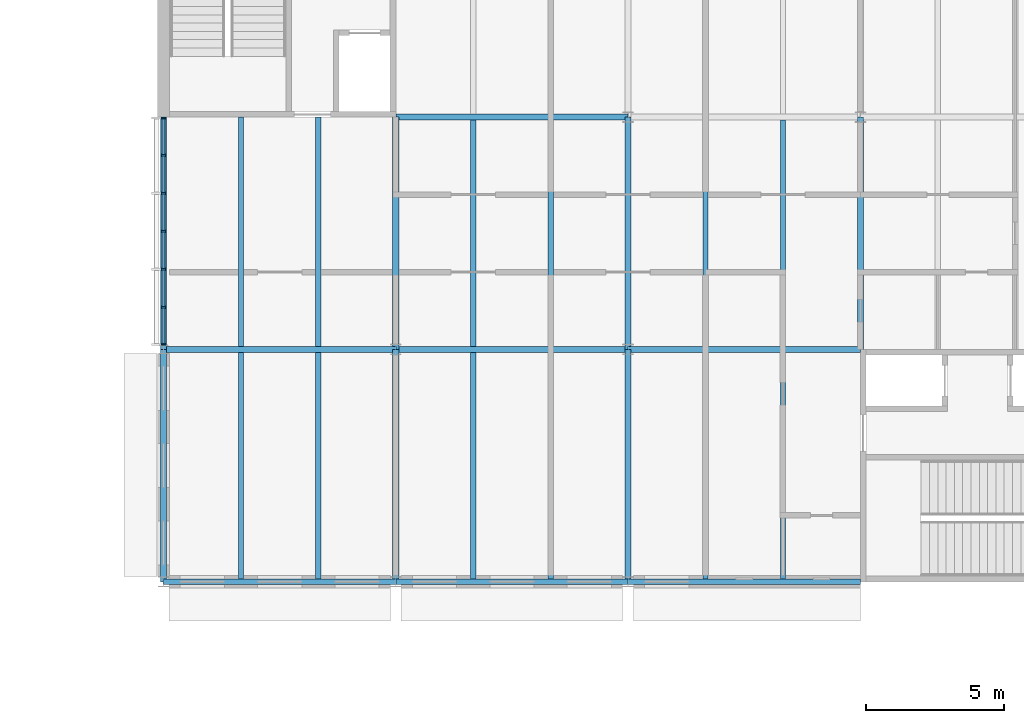
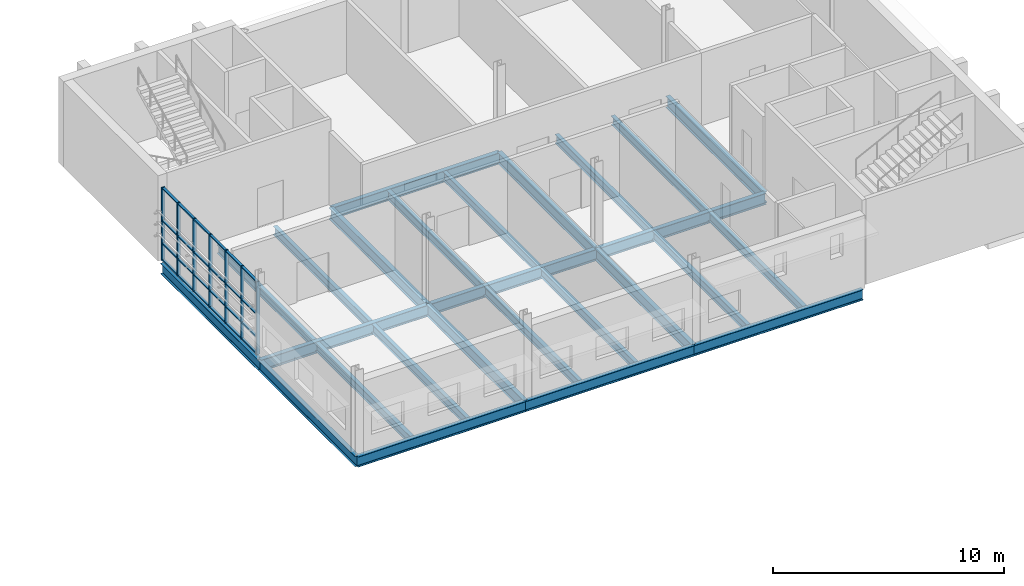
# One storey, part 19 of 42: 31 members, 26 beams, 1 element without a shape of its own.
"""IFC4 building model written with IfcOpenShell, lengths in metres."""

from ifc_helpers import new_model, si_unit, direction, frame, origin, origin_2d, place, context, subcontext, project, spatial, rectangle, i_section, extrude, material, layer, layer_set, material_profile, profile_set, type_object, element, aggregate, save


model = new_model("IFC4")

# Units and contexts
model_context = context("Model", 3, precision=1e-05, world=origin(), true_north=direction((0.0, 1.0)))
body_context = subcontext(model_context, "Body", "Model", "MODEL_VIEW")
ifc_project = project(units=[si_unit("LENGTHUNIT", "METRE"), si_unit("AREAUNIT", "SQUARE_METRE"), si_unit("VOLUMEUNIT", "CUBIC_METRE"), si_unit("PLANEANGLEUNIT", "RADIAN"), si_unit("MASSUNIT", "GRAM", prefix="KILO")], contexts=[model_context])

# Site, building, storey
site_placement = place(None, origin())
site = spatial("IfcSite", under=ifc_project, at=site_placement, CompositionType="ELEMENT")
building_placement = place(site_placement, origin())
building = spatial("IfcBuilding", under=site, at=building_placement, Name="Ardhachandra Cancer Care Centre", CompositionType="ELEMENT")
storey_placement = place(building_placement, frame((0.0, 0.0, 22.5)))
storey = spatial("IfcBuildingStorey", under=building, at=storey_placement, Name="L05", CompositionType="ELEMENT", Elevation=22.5)

# Beams
ifc_material_1 = material(Name="Steel E350 (IS 2062)", Category="steel")
ifc_material_profile_1 = material_profile(ifc_material_1, i_section(OverallWidth=0.19189453125, OverallDepth=0.4560546875, WebThickness=0.010986328125, FlangeThickness=0.017578125, FilletRadius=0.02099609375, at=origin_2d()), Name="NPB 450x190x92.36")
ifc_profile_set_1 = profile_set([ifc_material_profile_1], Name="Steel E350 (IS 2062)")
beam_type_1 = type_object("IfcBeamType", Name="Beam NPB 450x190x92.36", PredefinedType="BEAM", material=ifc_profile_set_1)
beam_1_placement = place(storey_placement, frame((114.39990234375, 79.905029296875, -0.3779296875), z_axis=(0.0, 1.0, 0.0), x_axis=(-1.0, 0.0, 0.0)))
element("IfcBeam", 1, at=beam_1_placement, inside=storey, type_object=beam_type_1, Name="Secondary J13-K13@2800", PredefinedType="BEAM", context=body_context, shape_type="SweptSolid", body=[
    extrude(i_section(OverallWidth=0.19189453125, OverallDepth=0.4560546875, WebThickness=0.010986328125, FlangeThickness=0.017578125, FilletRadius=0.02099609375, at=origin_2d()), origin(), (0.0, 0.0, 1.0), 8.18505859375),
])
beam_2_placement = place(storey_placement, frame((114.39990234375, 88.31005859375, -0.3779296875), z_axis=(0.0, 1.0, 0.0), x_axis=(-1.0, 0.0, 0.0)))
element("IfcBeam", 2, at=beam_2_placement, inside=storey, type_object=beam_type_1, Name="Secondary K13-L13@2800", PredefinedType="BEAM", context=body_context, shape_type="SweptSolid", body=[
    extrude(i_section(OverallWidth=0.19189453125, OverallDepth=0.4560546875, WebThickness=0.010986328125, FlangeThickness=0.017578125, FilletRadius=0.02099609375, at=origin_2d()), origin(), (0.0, 0.0, 1.0), 8.2900390625),
])
beam_3_placement = place(storey_placement, frame((117.199951171875, 79.905029296875, -0.3779296875), z_axis=(0.0, 1.0, 0.0), x_axis=(-1.0, 0.0, 0.0)))
element("IfcBeam", 3, at=beam_3_placement, inside=storey, type_object=beam_type_1, Name="Secondary J13-K13@5600", PredefinedType="BEAM", context=body_context, shape_type="SweptSolid", body=[
    extrude(i_section(OverallWidth=0.19189453125, OverallDepth=0.4560546875, WebThickness=0.010986328125, FlangeThickness=0.017578125, FilletRadius=0.02099609375, at=origin_2d()), origin(), (0.0, 0.0, 1.0), 8.18505859375),
])
beam_4_placement = place(storey_placement, frame((117.199951171875, 88.31005859375, -0.3779296875), z_axis=(0.0, 1.0, 0.0), x_axis=(-1.0, 0.0, 0.0)))
element("IfcBeam", 4, at=beam_4_placement, inside=storey, type_object=beam_type_1, Name="Secondary K13-L13@5600", PredefinedType="BEAM", context=body_context, shape_type="SweptSolid", body=[
    extrude(i_section(OverallWidth=0.19189453125, OverallDepth=0.4560546875, WebThickness=0.010986328125, FlangeThickness=0.017578125, FilletRadius=0.02099609375, at=origin_2d()), origin(), (0.0, 0.0, 1.0), 8.2900390625),
])
beam_5_placement = place(storey_placement, frame((122.800048828125, 79.905029296875, -0.3779296875), z_axis=(0.0, 1.0, 0.0), x_axis=(-1.0, 0.0, 0.0)))
element("IfcBeam", 5, at=beam_5_placement, inside=storey, type_object=beam_type_1, Name="Secondary J14-K14@2800", PredefinedType="BEAM", context=body_context, shape_type="SweptSolid", body=[
    extrude(i_section(OverallWidth=0.19189453125, OverallDepth=0.4560546875, WebThickness=0.010986328125, FlangeThickness=0.017578125, FilletRadius=0.02099609375, at=origin_2d()), origin(), (0.0, 0.0, 1.0), 8.18505859375),
])
beam_6_placement = place(storey_placement, frame((122.800048828125, 88.31005859375, -0.3779296875), z_axis=(0.0, 1.0, 0.0), x_axis=(-1.0, 0.0, 0.0)))
element("IfcBeam", 6, at=beam_6_placement, inside=storey, type_object=beam_type_1, Name="Secondary K14-L14@2800", PredefinedType="BEAM", context=body_context, shape_type="SweptSolid", body=[
    extrude(i_section(OverallWidth=0.19189453125, OverallDepth=0.4560546875, WebThickness=0.010986328125, FlangeThickness=0.017578125, FilletRadius=0.02099609375, at=origin_2d()), origin(), (0.0, 0.0, 1.0), 8.179931640625),
])
beam_7_placement = place(storey_placement, frame((125.60009765625, 79.905029296875, -0.3779296875), z_axis=(0.0, 1.0, 0.0), x_axis=(-1.0, 0.0, 0.0)))
element("IfcBeam", 7, at=beam_7_placement, inside=storey, type_object=beam_type_1, Name="Secondary J14-K14@5600", PredefinedType="BEAM", context=body_context, shape_type="SweptSolid", body=[
    extrude(i_section(OverallWidth=0.19189453125, OverallDepth=0.4560546875, WebThickness=0.010986328125, FlangeThickness=0.017578125, FilletRadius=0.02099609375, at=origin_2d()), origin(), (0.0, 0.0, 1.0), 8.18505859375),
])
beam_8_placement = place(storey_placement, frame((125.60009765625, 88.31005859375, -0.3779296875), z_axis=(0.0, 1.0, 0.0), x_axis=(-1.0, 0.0, 0.0)))
element("IfcBeam", 8, at=beam_8_placement, inside=storey, type_object=beam_type_1, Name="Secondary K14-L14@5600", PredefinedType="BEAM", context=body_context, shape_type="SweptSolid", body=[
    extrude(i_section(OverallWidth=0.19189453125, OverallDepth=0.4560546875, WebThickness=0.010986328125, FlangeThickness=0.017578125, FilletRadius=0.02099609375, at=origin_2d()), origin(), (0.0, 0.0, 1.0), 8.179931640625),
])
beam_9_placement = place(storey_placement, frame((131.199951171875, 79.905029296875, -0.3779296875), z_axis=(0.0, 1.0, 0.0), x_axis=(-1.0, 0.0, 0.0)))
element("IfcBeam", 9, at=beam_9_placement, inside=storey, type_object=beam_type_1, Name="Secondary J15-K15@2800", PredefinedType="BEAM", context=body_context, shape_type="SweptSolid", body=[
    extrude(i_section(OverallWidth=0.19189453125, OverallDepth=0.4560546875, WebThickness=0.010986328125, FlangeThickness=0.017578125, FilletRadius=0.02099609375, at=origin_2d()), origin(), (0.0, 0.0, 1.0), 8.18505859375),
])
beam_10_placement = place(storey_placement, frame((131.199951171875, 88.31005859375, -0.3779296875), z_axis=(0.0, 1.0, 0.0), x_axis=(-1.0, 0.0, 0.0)))
element("IfcBeam", 10, at=beam_10_placement, inside=storey, type_object=beam_type_1, Name="Secondary K15-L15@2800", PredefinedType="BEAM", context=body_context, shape_type="SweptSolid", body=[
    extrude(i_section(OverallWidth=0.19189453125, OverallDepth=0.4560546875, WebThickness=0.010986328125, FlangeThickness=0.017578125, FilletRadius=0.02099609375, at=origin_2d()), origin(), (0.0, 0.0, 1.0), 8.179931640625),
])
beam_11_placement = place(storey_placement, frame((134.0, 79.905029296875, -0.3779296875), z_axis=(0.0, 1.0, 0.0), x_axis=(-1.0, 0.0, 0.0)))
element("IfcBeam", 11, at=beam_11_placement, inside=storey, type_object=beam_type_1, Name="Secondary J15-K15@5600", PredefinedType="BEAM", context=body_context, shape_type="SweptSolid", body=[
    extrude(i_section(OverallWidth=0.19189453125, OverallDepth=0.4560546875, WebThickness=0.010986328125, FlangeThickness=0.017578125, FilletRadius=0.02099609375, at=origin_2d()), origin(), (0.0, 0.0, 1.0), 8.18505859375),
])
beam_12_placement = place(storey_placement, frame((134.0, 88.31005859375, -0.3779296875), z_axis=(0.0, 1.0, 0.0), x_axis=(-1.0, 0.0, 0.0)))
element("IfcBeam", 12, at=beam_12_placement, inside=storey, type_object=beam_type_1, Name="Secondary K15-L15@5600", PredefinedType="BEAM", context=body_context, shape_type="SweptSolid", body=[
    extrude(i_section(OverallWidth=0.19189453125, OverallDepth=0.4560546875, WebThickness=0.010986328125, FlangeThickness=0.017578125, FilletRadius=0.02099609375, at=origin_2d()), origin(), (0.0, 0.0, 1.0), 8.179931640625),
])
ifc_material_2 = material(Name="Steel E350 (IS 2062)", Category="steel")
ifc_material_profile_2 = material_profile(ifc_material_2, i_section(OverallWidth=0.2099609375, OverallDepth=0.550048828125, WebThickness=0.010986328125, FlangeThickness=0.01708984375, FilletRadius=0.02392578125, at=origin_2d()), Name="NPB 550x210x105.52")
ifc_profile_set_2 = profile_set([ifc_material_profile_2], Name="Steel E350 (IS 2062)")
beam_type_2 = type_object("IfcBeamType", Name="Beam NPB 550x210x105.52", PredefinedType="BEAM", material=ifc_profile_set_2)
for number, where, z_axis, x_axis, name in (
    (13, (111.60009765625, 79.800048828125, -0.425048828125), (1.0, 0.0, 0.0), (0.0, 1.0, 0.0), "Edge girder J13-J14"),
    (14, (120.0, 79.800048828125, -0.425048828125), (1.0, 0.0, 0.0), (0.0, 1.0, 0.0), "Edge girder J14-J15"),
):
    element("IfcBeam", number, at=place(storey_placement, frame(where, z_axis=z_axis, x_axis=x_axis)), inside=storey, type_object=beam_type_2, Name=name, PredefinedType="BEAM", context=body_context, shape_type="SweptSolid", body=[
        extrude(i_section(OverallWidth=0.2099609375, OverallDepth=0.550048828125, WebThickness=0.010986328125, FlangeThickness=0.01708984375, FilletRadius=0.02392578125, at=origin_2d()), origin(), (0.0, 0.0, 1.0), 8.39990234375),
    ])
beam_13_placement = place(storey_placement, frame((128.39990234375, 79.800048828125, -0.425048828125), z_axis=(1.0, 0.0, 0.0), x_axis=(0.0, 1.0, 0.0)))
element("IfcBeam", 15, at=beam_13_placement, inside=storey, type_object=beam_type_2, Name="Edge girder J15-J16", PredefinedType="BEAM", context=body_context, shape_type="SweptSolid", body=[
    extrude(i_section(OverallWidth=0.2099609375, OverallDepth=0.550048828125, WebThickness=0.010986328125, FlangeThickness=0.01708984375, FilletRadius=0.02392578125, at=origin_2d()), origin(), (0.0, 0.0, 1.0), 8.400146484375),
])
beam_14_placement = place(storey_placement, frame((111.60009765625, 79.800048828125, -0.425048828125), z_axis=(0.0, 1.0, 0.0), x_axis=(-1.0, 0.0, 0.0)))
element("IfcBeam", 16, at=beam_14_placement, inside=storey, type_object=beam_type_2, Name="Edge girder J13-K13", PredefinedType="BEAM", context=body_context, shape_type="SweptSolid", body=[
    extrude(i_section(OverallWidth=0.2099609375, OverallDepth=0.550048828125, WebThickness=0.010986328125, FlangeThickness=0.01708984375, FilletRadius=0.02392578125, at=origin_2d()), origin(), (0.0, 0.0, 1.0), 8.39990234375),
])
beam_15_placement = place(storey_placement, frame((111.60009765625, 88.199951171875, -0.425048828125), z_axis=(0.0, 1.0, 0.0), x_axis=(-1.0, 0.0, 0.0)))
element("IfcBeam", 17, at=beam_15_placement, inside=storey, type_object=beam_type_2, Name="Edge girder K13-L13", PredefinedType="BEAM", context=body_context, shape_type="SweptSolid", body=[
    extrude(i_section(OverallWidth=0.2099609375, OverallDepth=0.550048828125, WebThickness=0.010986328125, FlangeThickness=0.01708984375, FilletRadius=0.02392578125, at=origin_2d()), origin(), (0.0, 0.0, 1.0), 8.400146484375),
])
ifc_material_3 = material(Name="Steel E350 (IS 2062)", Category="steel")
ifc_material_profile_3 = material_profile(ifc_material_3, i_section(OverallWidth=0.219970703125, OverallDepth=0.60009765625, WebThickness=0.011962890625, FlangeThickness=0.01904296875, FilletRadius=0.02392578125, at=origin_2d()), Name="NPB 600x220x122.45")
ifc_profile_set_3 = profile_set([ifc_material_profile_3], Name="Steel E350 (IS 2062)")
beam_type_3 = type_object("IfcBeamType", Name="Beam NPB 600x220x122.45", PredefinedType="BEAM", material=ifc_profile_set_3)
for number, where, z_axis, x_axis, name in (
    (18, (111.60009765625, 88.199951171875, -0.449951171875), (1.0, 0.0, 0.0), (0.0, 1.0, 0.0), "Girder K13-K14"),
    (19, (120.0, 88.199951171875, -0.449951171875), (1.0, 0.0, 0.0), (0.0, 1.0, 0.0), "Girder K14-K15"),
):
    element("IfcBeam", number, at=place(storey_placement, frame(where, z_axis=z_axis, x_axis=x_axis)), inside=storey, type_object=beam_type_3, Name=name, PredefinedType="BEAM", context=body_context, shape_type="SweptSolid", body=[
        extrude(i_section(OverallWidth=0.219970703125, OverallDepth=0.60009765625, WebThickness=0.011962890625, FlangeThickness=0.01904296875, FilletRadius=0.02392578125, at=origin_2d()), origin(), (0.0, 0.0, 1.0), 8.39990234375),
    ])
beam_16_placement = place(storey_placement, frame((128.39990234375, 88.199951171875, -0.449951171875), z_axis=(1.0, 0.0, 0.0), x_axis=(0.0, 1.0, 0.0)))
element("IfcBeam", 20, at=beam_16_placement, inside=storey, type_object=beam_type_3, Name="Girder K15-K16", PredefinedType="BEAM", context=body_context, shape_type="SweptSolid", body=[
    extrude(i_section(OverallWidth=0.219970703125, OverallDepth=0.60009765625, WebThickness=0.011962890625, FlangeThickness=0.01904296875, FilletRadius=0.02392578125, at=origin_2d()), origin(), (0.0, 0.0, 1.0), 8.400146484375),
])
for number, where, z_axis, x_axis, name in (
    (21, (120.0, 96.60009765625, -0.449951171875), (1.0, 0.0, 0.0), (0.0, 1.0, 0.0), "Girder L14-L15"),
    (22, (120.0, 79.800048828125, -0.449951171875), (0.0, 1.0, 0.0), (-1.0, 0.0, 0.0), "Girder J14-K14"),
):
    element("IfcBeam", number, at=place(storey_placement, frame(where, z_axis=z_axis, x_axis=x_axis)), inside=storey, type_object=beam_type_3, Name=name, PredefinedType="BEAM", context=body_context, shape_type="SweptSolid", body=[
        extrude(i_section(OverallWidth=0.219970703125, OverallDepth=0.60009765625, WebThickness=0.011962890625, FlangeThickness=0.01904296875, FilletRadius=0.02392578125, at=origin_2d()), origin(), (0.0, 0.0, 1.0), 8.39990234375),
    ])
beam_17_placement = place(storey_placement, frame((120.0, 88.199951171875, -0.449951171875), z_axis=(0.0, 1.0, 0.0), x_axis=(-1.0, 0.0, 0.0)))
element("IfcBeam", 23, at=beam_17_placement, inside=storey, type_object=beam_type_3, Name="Girder K14-L14", PredefinedType="BEAM", context=body_context, shape_type="SweptSolid", body=[
    extrude(i_section(OverallWidth=0.219970703125, OverallDepth=0.60009765625, WebThickness=0.011962890625, FlangeThickness=0.01904296875, FilletRadius=0.02392578125, at=origin_2d()), origin(), (0.0, 0.0, 1.0), 8.400146484375),
])
beam_18_placement = place(storey_placement, frame((128.39990234375, 79.800048828125, -0.449951171875), z_axis=(0.0, 1.0, 0.0), x_axis=(-1.0, 0.0, 0.0)))
element("IfcBeam", 24, at=beam_18_placement, inside=storey, type_object=beam_type_3, Name="Girder J15-K15", PredefinedType="BEAM", context=body_context, shape_type="SweptSolid", body=[
    extrude(i_section(OverallWidth=0.219970703125, OverallDepth=0.60009765625, WebThickness=0.011962890625, FlangeThickness=0.01904296875, FilletRadius=0.02392578125, at=origin_2d()), origin(), (0.0, 0.0, 1.0), 8.39990234375),
])
for number, where, z_axis, x_axis, name in (
    (25, (128.39990234375, 88.199951171875, -0.449951171875), (0.0, 1.0, 0.0), (-1.0, 0.0, 0.0), "Girder K15-L15"),
    (26, (136.800048828125, 88.199951171875, -0.449951171875), (0.0, 1.0, 0.0), (-1.0, 0.0, 0.0), "Girder K16-L16"),
):
    element("IfcBeam", number, at=place(storey_placement, frame(where, z_axis=z_axis, x_axis=x_axis)), inside=storey, type_object=beam_type_3, Name=name, PredefinedType="BEAM", context=body_context, shape_type="SweptSolid", body=[
        extrude(i_section(OverallWidth=0.219970703125, OverallDepth=0.60009765625, WebThickness=0.011962890625, FlangeThickness=0.01904296875, FilletRadius=0.02392578125, at=origin_2d()), origin(), (0.0, 0.0, 1.0), 8.400146484375),
    ])

# Curtain wall, members
ifc_material_4 = material(Name="Aluminium extrusion", Category="aluminium")
ifc_layer = layer(ifc_material_4, 0.14990234375)
ifc_layer_set = layer_set([ifc_layer], Name="Aluminium extrusion")
curtain_wall_type = type_object("IfcCurtainWallType", Name="Curtain wall run", PredefinedType="NOTDEFINED", material=ifc_layer_set)
curtain_wall_placement = place(storey_placement, origin())
curtain_wall = element("IfcCurtainWall", 27, at=curtain_wall_placement, inside=storey, type_object=curtain_wall_type, Name="Curtain wall L05 w/0111600_0088200", PredefinedType="NOTDEFINED")
ifc_material_5 = material(Name="Aluminium extrusion", Category="aluminium")
ifc_material_profile_4 = material_profile(ifc_material_5, rectangle(XDim=0.159912109375, YDim=0.06005859375, at=origin_2d()), Name="Curtain wall mullion 60 x 160")
ifc_profile_set_4 = profile_set([ifc_material_profile_4], Name="Aluminium extrusion")
member_type_1 = type_object("IfcMemberType", Name="Curtain wall mullion 60 x 160", PredefinedType="MULLION", material=ifc_profile_set_4)
member_1_placement = place(storey_placement, frame((111.60009765625, 88.3798828125, 0.0), z_axis=(0.0, 0.0, 1.0), x_axis=(-1.0, 0.0, 0.0)))
member_1 = element("IfcMember", 28, at=member_1_placement, type_object=member_type_1, Name="CW mullion 1", PredefinedType="MULLION", context=body_context, shape_type="SweptSolid", body=[
    extrude(rectangle(XDim=0.159912109375, YDim=0.06005859375, at=origin_2d()), origin(), (0.0, 0.0, 1.0), 3.85009765625),
])
member_2_placement = place(storey_placement, frame((111.60009765625, 89.72509765625, 0.0), z_axis=(0.0, 0.0, 1.0), x_axis=(-1.0, 0.0, 0.0)))
member_2 = element("IfcMember", 29, at=member_2_placement, type_object=member_type_1, Name="CW mullion 2", PredefinedType="MULLION", context=body_context, shape_type="SweptSolid", body=[
    extrude(rectangle(XDim=0.159912109375, YDim=0.06005859375, at=origin_2d()), origin(), (0.0, 0.0, 1.0), 3.85009765625),
])
member_3_placement = place(storey_placement, frame((111.60009765625, 91.10009765625, 0.0), z_axis=(0.0, 0.0, 1.0), x_axis=(-1.0, 0.0, 0.0)))
member_3 = element("IfcMember", 30, at=member_3_placement, type_object=member_type_1, Name="CW mullion 3", PredefinedType="MULLION", context=body_context, shape_type="SweptSolid", body=[
    extrude(rectangle(XDim=0.159912109375, YDim=0.06005859375, at=origin_2d()), origin(), (0.0, 0.0, 1.0), 3.85009765625),
])
member_4_placement = place(storey_placement, frame((111.60009765625, 92.47509765625, 0.0), z_axis=(0.0, 0.0, 1.0), x_axis=(-1.0, 0.0, 0.0)))
member_4 = element("IfcMember", 31, at=member_4_placement, type_object=member_type_1, Name="CW mullion 4", PredefinedType="MULLION", context=body_context, shape_type="SweptSolid", body=[
    extrude(rectangle(XDim=0.159912109375, YDim=0.06005859375, at=origin_2d()), origin(), (0.0, 0.0, 1.0), 3.85009765625),
])
member_5_placement = place(storey_placement, frame((111.60009765625, 93.85009765625, 0.0), z_axis=(0.0, 0.0, 1.0), x_axis=(-1.0, 0.0, 0.0)))
member_5 = element("IfcMember", 32, at=member_5_placement, type_object=member_type_1, Name="CW mullion 5", PredefinedType="MULLION", context=body_context, shape_type="SweptSolid", body=[
    extrude(rectangle(XDim=0.159912109375, YDim=0.06005859375, at=origin_2d()), origin(), (0.0, 0.0, 1.0), 3.85009765625),
])
member_6_placement = place(storey_placement, frame((111.60009765625, 95.22509765625, 0.0), z_axis=(0.0, 0.0, 1.0), x_axis=(-1.0, 0.0, 0.0)))
member_6 = element("IfcMember", 33, at=member_6_placement, type_object=member_type_1, Name="CW mullion 6", PredefinedType="MULLION", context=body_context, shape_type="SweptSolid", body=[
    extrude(rectangle(XDim=0.159912109375, YDim=0.06005859375, at=origin_2d()), origin(), (0.0, 0.0, 1.0), 3.85009765625),
])
member_7_placement = place(storey_placement, frame((111.60009765625, 96.570068359375, 0.0), z_axis=(0.0, 0.0, 1.0), x_axis=(-1.0, 0.0, 0.0)))
member_7 = element("IfcMember", 34, at=member_7_placement, type_object=member_type_1, Name="CW mullion 7", PredefinedType="MULLION", context=body_context, shape_type="SweptSolid", body=[
    extrude(rectangle(XDim=0.159912109375, YDim=0.06005859375, at=origin_2d()), origin(), (0.0, 0.0, 1.0), 3.85009765625),
])
ifc_material_6 = material(Name="Aluminium extrusion", Category="aluminium")
ifc_material_profile_5 = material_profile(ifc_material_6, rectangle(XDim=0.1201171875, YDim=0.06005859375, at=origin_2d()), Name="Curtain wall transom 60 x 120")
ifc_profile_set_5 = profile_set([ifc_material_profile_5], Name="Aluminium extrusion")
member_type_2 = type_object("IfcMemberType", Name="Curtain wall transom 60 x 120", PredefinedType="USERDEFINED", material=ifc_profile_set_5)
member_8_placement = place(storey_placement, frame((111.60009765625, 88.409912109375, 0.030029296875), z_axis=(0.0, 1.0, 0.0), x_axis=(-1.0, 0.0, 0.0)))
member_8 = element("IfcMember", 35, at=member_8_placement, type_object=member_type_2, Name="CW transom 1.1", ObjectType="TRANSOM", PredefinedType="USERDEFINED", context=body_context, shape_type="SweptSolid", body=[
    extrude(rectangle(XDim=0.1201171875, YDim=0.06005859375, at=origin_2d()), origin(), (0.0, 0.0, 1.0), 1.28515625),
])
member_9_placement = place(storey_placement, frame((111.60009765625, 88.409912109375, 0.89990234375), z_axis=(0.0, 1.0, 0.0), x_axis=(-1.0, 0.0, 0.0)))
member_9 = element("IfcMember", 36, at=member_9_placement, type_object=member_type_2, Name="CW transom 1.2", ObjectType="TRANSOM", PredefinedType="USERDEFINED", context=body_context, shape_type="SweptSolid", body=[
    extrude(rectangle(XDim=0.1201171875, YDim=0.06005859375, at=origin_2d()), origin(), (0.0, 0.0, 1.0), 1.28515625),
])
member_10_placement = place(storey_placement, frame((111.60009765625, 88.409912109375, 2.10009765625), z_axis=(0.0, 1.0, 0.0), x_axis=(-1.0, 0.0, 0.0)))
member_10 = element("IfcMember", 37, at=member_10_placement, type_object=member_type_2, Name="CW transom 1.3", ObjectType="TRANSOM", PredefinedType="USERDEFINED", context=body_context, shape_type="SweptSolid", body=[
    extrude(rectangle(XDim=0.1201171875, YDim=0.06005859375, at=origin_2d()), origin(), (0.0, 0.0, 1.0), 1.28515625),
])
member_11_placement = place(storey_placement, frame((111.60009765625, 88.409912109375, 3.820068359375), z_axis=(0.0, 1.0, 0.0), x_axis=(-1.0, 0.0, 0.0)))
member_11 = element("IfcMember", 38, at=member_11_placement, type_object=member_type_2, Name="CW transom 1.4", ObjectType="TRANSOM", PredefinedType="USERDEFINED", context=body_context, shape_type="SweptSolid", body=[
    extrude(rectangle(XDim=0.1201171875, YDim=0.06005859375, at=origin_2d()), origin(), (0.0, 0.0, 1.0), 1.28515625),
])
member_12_placement = place(storey_placement, frame((111.60009765625, 89.7548828125, 0.030029296875), z_axis=(0.0, 1.0, 0.0), x_axis=(-1.0, 0.0, 0.0)))
member_12 = element("IfcMember", 39, at=member_12_placement, type_object=member_type_2, Name="CW transom 2.1", ObjectType="TRANSOM", PredefinedType="USERDEFINED", context=body_context, shape_type="SweptSolid", body=[
    extrude(rectangle(XDim=0.1201171875, YDim=0.06005859375, at=origin_2d()), origin(), (0.0, 0.0, 1.0), 1.315185546875),
])
member_13_placement = place(storey_placement, frame((111.60009765625, 89.7548828125, 0.89990234375), z_axis=(0.0, 1.0, 0.0), x_axis=(-1.0, 0.0, 0.0)))
member_13 = element("IfcMember", 40, at=member_13_placement, type_object=member_type_2, Name="CW transom 2.2", ObjectType="TRANSOM", PredefinedType="USERDEFINED", context=body_context, shape_type="SweptSolid", body=[
    extrude(rectangle(XDim=0.1201171875, YDim=0.06005859375, at=origin_2d()), origin(), (0.0, 0.0, 1.0), 1.315185546875),
])
member_14_placement = place(storey_placement, frame((111.60009765625, 89.7548828125, 2.10009765625), z_axis=(0.0, 1.0, 0.0), x_axis=(-1.0, 0.0, 0.0)))
member_14 = element("IfcMember", 41, at=member_14_placement, type_object=member_type_2, Name="CW transom 2.3", ObjectType="TRANSOM", PredefinedType="USERDEFINED", context=body_context, shape_type="SweptSolid", body=[
    extrude(rectangle(XDim=0.1201171875, YDim=0.06005859375, at=origin_2d()), origin(), (0.0, 0.0, 1.0), 1.315185546875),
])
member_15_placement = place(storey_placement, frame((111.60009765625, 89.7548828125, 3.820068359375), z_axis=(0.0, 1.0, 0.0), x_axis=(-1.0, 0.0, 0.0)))
member_15 = element("IfcMember", 42, at=member_15_placement, type_object=member_type_2, Name="CW transom 2.4", ObjectType="TRANSOM", PredefinedType="USERDEFINED", context=body_context, shape_type="SweptSolid", body=[
    extrude(rectangle(XDim=0.1201171875, YDim=0.06005859375, at=origin_2d()), origin(), (0.0, 0.0, 1.0), 1.315185546875),
])
member_16_placement = place(storey_placement, frame((111.60009765625, 91.1298828125, 0.030029296875), z_axis=(0.0, 1.0, 0.0), x_axis=(-1.0, 0.0, 0.0)))
member_16 = element("IfcMember", 43, at=member_16_placement, type_object=member_type_2, Name="CW transom 3.1", ObjectType="TRANSOM", PredefinedType="USERDEFINED", context=body_context, shape_type="SweptSolid", body=[
    extrude(rectangle(XDim=0.1201171875, YDim=0.06005859375, at=origin_2d()), origin(), (0.0, 0.0, 1.0), 1.315185546875),
])
member_17_placement = place(storey_placement, frame((111.60009765625, 91.1298828125, 0.89990234375), z_axis=(0.0, 1.0, 0.0), x_axis=(-1.0, 0.0, 0.0)))
member_17 = element("IfcMember", 44, at=member_17_placement, type_object=member_type_2, Name="CW transom 3.2", ObjectType="TRANSOM", PredefinedType="USERDEFINED", context=body_context, shape_type="SweptSolid", body=[
    extrude(rectangle(XDim=0.1201171875, YDim=0.06005859375, at=origin_2d()), origin(), (0.0, 0.0, 1.0), 1.315185546875),
])
member_18_placement = place(storey_placement, frame((111.60009765625, 91.1298828125, 2.10009765625), z_axis=(0.0, 1.0, 0.0), x_axis=(-1.0, 0.0, 0.0)))
member_18 = element("IfcMember", 45, at=member_18_placement, type_object=member_type_2, Name="CW transom 3.3", ObjectType="TRANSOM", PredefinedType="USERDEFINED", context=body_context, shape_type="SweptSolid", body=[
    extrude(rectangle(XDim=0.1201171875, YDim=0.06005859375, at=origin_2d()), origin(), (0.0, 0.0, 1.0), 1.315185546875),
])
member_19_placement = place(storey_placement, frame((111.60009765625, 91.1298828125, 3.820068359375), z_axis=(0.0, 1.0, 0.0), x_axis=(-1.0, 0.0, 0.0)))
member_19 = element("IfcMember", 46, at=member_19_placement, type_object=member_type_2, Name="CW transom 3.4", ObjectType="TRANSOM", PredefinedType="USERDEFINED", context=body_context, shape_type="SweptSolid", body=[
    extrude(rectangle(XDim=0.1201171875, YDim=0.06005859375, at=origin_2d()), origin(), (0.0, 0.0, 1.0), 1.315185546875),
])
member_20_placement = place(storey_placement, frame((111.60009765625, 92.5048828125, 0.030029296875), z_axis=(0.0, 1.0, 0.0), x_axis=(-1.0, 0.0, 0.0)))
member_20 = element("IfcMember", 47, at=member_20_placement, type_object=member_type_2, Name="CW transom 4.1", ObjectType="TRANSOM", PredefinedType="USERDEFINED", context=body_context, shape_type="SweptSolid", body=[
    extrude(rectangle(XDim=0.1201171875, YDim=0.06005859375, at=origin_2d()), origin(), (0.0, 0.0, 1.0), 1.315185546875),
])
member_21_placement = place(storey_placement, frame((111.60009765625, 92.5048828125, 0.89990234375), z_axis=(0.0, 1.0, 0.0), x_axis=(-1.0, 0.0, 0.0)))
member_21 = element("IfcMember", 48, at=member_21_placement, type_object=member_type_2, Name="CW transom 4.2", ObjectType="TRANSOM", PredefinedType="USERDEFINED", context=body_context, shape_type="SweptSolid", body=[
    extrude(rectangle(XDim=0.1201171875, YDim=0.06005859375, at=origin_2d()), origin(), (0.0, 0.0, 1.0), 1.315185546875),
])
member_22_placement = place(storey_placement, frame((111.60009765625, 92.5048828125, 2.10009765625), z_axis=(0.0, 1.0, 0.0), x_axis=(-1.0, 0.0, 0.0)))
member_22 = element("IfcMember", 49, at=member_22_placement, type_object=member_type_2, Name="CW transom 4.3", ObjectType="TRANSOM", PredefinedType="USERDEFINED", context=body_context, shape_type="SweptSolid", body=[
    extrude(rectangle(XDim=0.1201171875, YDim=0.06005859375, at=origin_2d()), origin(), (0.0, 0.0, 1.0), 1.315185546875),
])
member_23_placement = place(storey_placement, frame((111.60009765625, 92.5048828125, 3.820068359375), z_axis=(0.0, 1.0, 0.0), x_axis=(-1.0, 0.0, 0.0)))
member_23 = element("IfcMember", 50, at=member_23_placement, type_object=member_type_2, Name="CW transom 4.4", ObjectType="TRANSOM", PredefinedType="USERDEFINED", context=body_context, shape_type="SweptSolid", body=[
    extrude(rectangle(XDim=0.1201171875, YDim=0.06005859375, at=origin_2d()), origin(), (0.0, 0.0, 1.0), 1.315185546875),
])
member_24_placement = place(storey_placement, frame((111.60009765625, 93.8798828125, 0.030029296875), z_axis=(0.0, 1.0, 0.0), x_axis=(-1.0, 0.0, 0.0)))
member_24 = element("IfcMember", 51, at=member_24_placement, type_object=member_type_2, Name="CW transom 5.1", ObjectType="TRANSOM", PredefinedType="USERDEFINED", context=body_context, shape_type="SweptSolid", body=[
    extrude(rectangle(XDim=0.1201171875, YDim=0.06005859375, at=origin_2d()), origin(), (0.0, 0.0, 1.0), 1.315185546875),
])
member_25_placement = place(storey_placement, frame((111.60009765625, 93.8798828125, 0.89990234375), z_axis=(0.0, 1.0, 0.0), x_axis=(-1.0, 0.0, 0.0)))
member_25 = element("IfcMember", 52, at=member_25_placement, type_object=member_type_2, Name="CW transom 5.2", ObjectType="TRANSOM", PredefinedType="USERDEFINED", context=body_context, shape_type="SweptSolid", body=[
    extrude(rectangle(XDim=0.1201171875, YDim=0.06005859375, at=origin_2d()), origin(), (0.0, 0.0, 1.0), 1.315185546875),
])
member_26_placement = place(storey_placement, frame((111.60009765625, 93.8798828125, 2.10009765625), z_axis=(0.0, 1.0, 0.0), x_axis=(-1.0, 0.0, 0.0)))
member_26 = element("IfcMember", 53, at=member_26_placement, type_object=member_type_2, Name="CW transom 5.3", ObjectType="TRANSOM", PredefinedType="USERDEFINED", context=body_context, shape_type="SweptSolid", body=[
    extrude(rectangle(XDim=0.1201171875, YDim=0.06005859375, at=origin_2d()), origin(), (0.0, 0.0, 1.0), 1.315185546875),
])
member_27_placement = place(storey_placement, frame((111.60009765625, 93.8798828125, 3.820068359375), z_axis=(0.0, 1.0, 0.0), x_axis=(-1.0, 0.0, 0.0)))
member_27 = element("IfcMember", 54, at=member_27_placement, type_object=member_type_2, Name="CW transom 5.4", ObjectType="TRANSOM", PredefinedType="USERDEFINED", context=body_context, shape_type="SweptSolid", body=[
    extrude(rectangle(XDim=0.1201171875, YDim=0.06005859375, at=origin_2d()), origin(), (0.0, 0.0, 1.0), 1.315185546875),
])
member_28_placement = place(storey_placement, frame((111.60009765625, 95.2548828125, 0.030029296875), z_axis=(0.0, 1.0, 0.0), x_axis=(-1.0, 0.0, 0.0)))
member_28 = element("IfcMember", 55, at=member_28_placement, type_object=member_type_2, Name="CW transom 6.1", ObjectType="TRANSOM", PredefinedType="USERDEFINED", context=body_context, shape_type="SweptSolid", body=[
    extrude(rectangle(XDim=0.1201171875, YDim=0.06005859375, at=origin_2d()), origin(), (0.0, 0.0, 1.0), 1.28515625),
])
member_29_placement = place(storey_placement, frame((111.60009765625, 95.2548828125, 0.89990234375), z_axis=(0.0, 1.0, 0.0), x_axis=(-1.0, 0.0, 0.0)))
member_29 = element("IfcMember", 56, at=member_29_placement, type_object=member_type_2, Name="CW transom 6.2", ObjectType="TRANSOM", PredefinedType="USERDEFINED", context=body_context, shape_type="SweptSolid", body=[
    extrude(rectangle(XDim=0.1201171875, YDim=0.06005859375, at=origin_2d()), origin(), (0.0, 0.0, 1.0), 1.28515625),
])
member_30_placement = place(storey_placement, frame((111.60009765625, 95.2548828125, 2.10009765625), z_axis=(0.0, 1.0, 0.0), x_axis=(-1.0, 0.0, 0.0)))
member_30 = element("IfcMember", 57, at=member_30_placement, type_object=member_type_2, Name="CW transom 6.3", ObjectType="TRANSOM", PredefinedType="USERDEFINED", context=body_context, shape_type="SweptSolid", body=[
    extrude(rectangle(XDim=0.1201171875, YDim=0.06005859375, at=origin_2d()), origin(), (0.0, 0.0, 1.0), 1.28515625),
])
member_31_placement = place(storey_placement, frame((111.60009765625, 95.2548828125, 3.820068359375), z_axis=(0.0, 1.0, 0.0), x_axis=(-1.0, 0.0, 0.0)))
member_31 = element("IfcMember", 58, at=member_31_placement, type_object=member_type_2, Name="CW transom 6.4", ObjectType="TRANSOM", PredefinedType="USERDEFINED", context=body_context, shape_type="SweptSolid", body=[
    extrude(rectangle(XDim=0.1201171875, YDim=0.06005859375, at=origin_2d()), origin(), (0.0, 0.0, 1.0), 1.28515625),
])
aggregate(curtain_wall, [member_1, member_2, member_3, member_4, member_5, member_6, member_7, member_8, member_9, member_10, member_11, member_12, member_13, member_14, member_15, member_16, member_17, member_18, member_19, member_20, member_21, member_22, member_23, member_24, member_25, member_26, member_27, member_28, member_29, member_30, member_31])

save(model, "model.ifc")
